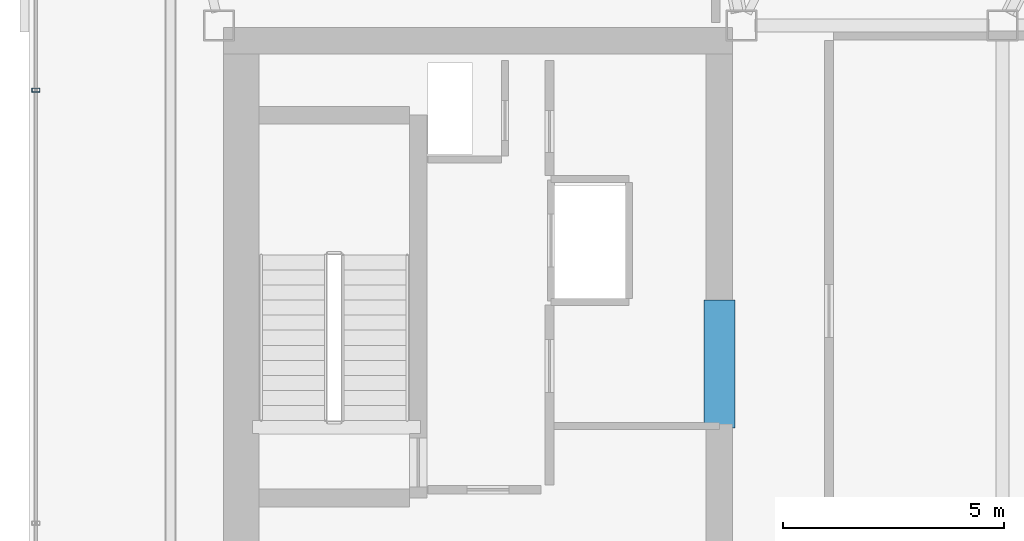
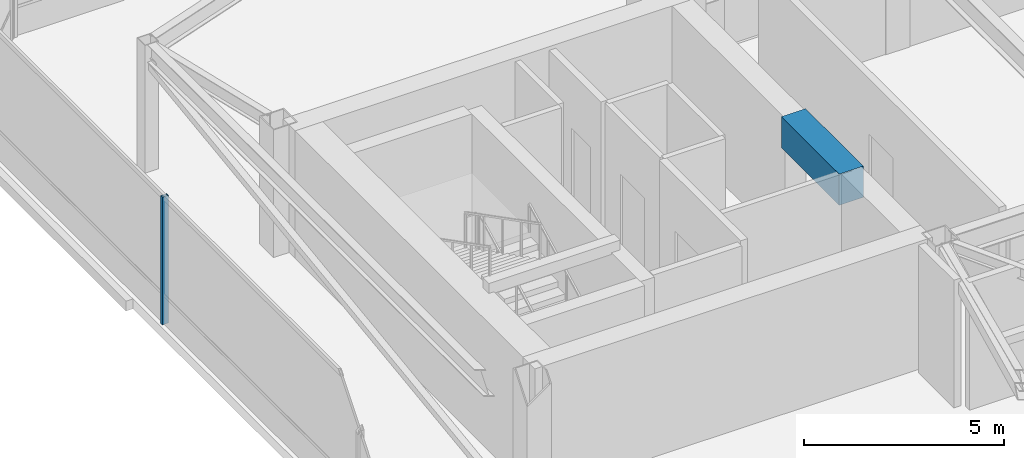
# One storey, part 6 of 21: 1 beam, 1 member, 1 element without a shape of its own.
"""IFC4 building model written with IfcOpenShell, lengths in metres."""

import ifcopenshell
import ifcopenshell.guid

model = None  # the IFC model being written
_history = None  # IfcOwnerHistory: only IFC2X3 demands one
_inside = {}  # id of a spatial element -> (the spatial element, [elements in it])
_under = {}  # id of a project, library or spatial element -> (it, [spatial elements below it])
_declared = {}  # id of a project -> (the project, [libraries it declares])
_typed = {}  # id of a type object -> (the type object, [elements of that type])
_made_of = {}  # id of a material, layer set ... -> (it, [elements and type objects made of it])


def new_model(schema):
    """Start an empty IFC model of exactly this schema.

    Asked for "IFC4X3", IfcOpenShell would pick the latest addendum, in which some entities
    have other attributes; the version numbers below select the first issue.
    IFC2X3 requires an IfcOwnerHistory on every rooted entity: one is made here for all.
    """
    global model, _history
    if schema == "IFC4X3":
        model = ifcopenshell.file(schema_version=(4, 3, 0, 0))
    else:
        model = ifcopenshell.file(schema=schema)
    _inside.clear()
    _under.clear()
    _declared.clear()
    _typed.clear()
    _made_of.clear()
    _history = None
    if model.schema == "IFC2X3":
        org = make("IfcOrganization", Name="unknown")
        user = make(
            "IfcPersonAndOrganization",
            ThePerson=make("IfcPerson", FamilyName="unknown"),
            TheOrganization=org,
        )
        app = make(
            "IfcApplication",
            ApplicationDeveloper=org,
            Version="unknown",
            ApplicationFullName="unknown",
            ApplicationIdentifier="unknown",
        )
        _history = make(
            "IfcOwnerHistory",
            OwningUser=user,
            OwningApplication=app,
            ChangeAction="ADDED",
            CreationDate=0,
        )
    return model


def make(cls, **values):
    """One entity of the class cls with the attributes given. An attribute that is None is left unset."""
    return model.create_entity(
        cls, **{name: value for name, value in values.items() if value is not None}
    )


def rooted(cls, **values):
    """An entity with a GlobalId (a new one), such as an element, a storey or a relation."""
    return make(cls, GlobalId=ifcopenshell.guid.new(), OwnerHistory=_history, **values)


def si_unit(unit_type, name, prefix=None):
    """IfcSIUnit, for example si_unit("LENGTHUNIT", "METRE", prefix="MILLI")."""
    return make("IfcSIUnit", UnitType=unit_type, Prefix=prefix, Name=name)


def assignment(units):
    """IfcUnitAssignment: the units of a project."""
    return None if units is None else make("IfcUnitAssignment", Units=units)


def point(xyz):
    """IfcCartesianPoint."""
    return None if xyz is None else make("IfcCartesianPoint", Coordinates=xyz)


def direction(xyz):
    """IfcDirection."""
    return None if xyz is None else make("IfcDirection", DirectionRatios=xyz)


def frame(location, z_axis=None, x_axis=None):
    """IfcAxis2Placement3D, a coordinate frame: its origin and axes. An axis left out is left unset."""
    return make(
        "IfcAxis2Placement3D",
        Location=point(location),
        Axis=direction(z_axis),
        RefDirection=direction(x_axis),
    )


def frame_2d(location, x_axis=None):
    """IfcAxis2Placement2D, a coordinate frame in the plane: its origin and x axis."""
    return make(
        "IfcAxis2Placement2D", Location=point(location), RefDirection=direction(x_axis)
    )


def origin():
    """The frame at (0, 0, 0) with its axes left unset."""
    return frame((0.0, 0.0, 0.0))


def origin_2d():
    """The frame at (0, 0) in the plane with its x axis left unset."""
    return frame_2d((0.0, 0.0))


def place(relative_to, where):
    """IfcLocalPlacement: puts the frame where relative to a parent placement (None: the world)."""
    return make(
        "IfcLocalPlacement", PlacementRelTo=relative_to, RelativePlacement=where
    )


def context(
    kind, dimensions, precision=None, world=None, true_north=None, identifier=None
):
    """IfcGeometricRepresentationContext, for example the 3D "Model" context."""
    return make(
        "IfcGeometricRepresentationContext",
        ContextIdentifier=identifier,
        ContextType=kind,
        CoordinateSpaceDimension=dimensions,
        Precision=precision,
        WorldCoordinateSystem=world,
        TrueNorth=true_north,
    )


def subcontext(parent, identifier, kind, view, scale=None):
    """IfcGeometricRepresentationSubContext, for example "Body" below "Model"."""
    return make(
        "IfcGeometricRepresentationSubContext",
        ContextIdentifier=identifier,
        ContextType=kind,
        ParentContext=parent,
        TargetScale=scale,
        TargetView=view,
    )


def project(units=None, contexts=None):
    """IfcProject with its units and contexts."""
    return rooted(
        "IfcProject",
        Name="project",
        RepresentationContexts=contexts,
        UnitsInContext=assignment(units),
    )


def spatial(cls, under=None, at=None, **own):
    """A site, building, storey or space (cls), placed at a placement, below another one or the project."""
    s = rooted(cls, ObjectPlacement=at, **own)
    if under is not None:
        _under.setdefault(under.id(), (under, []))[1].append(s)
    return s


def profile(cls, at=None, kind="AREA", **sizes):
    """A parametric profile (cls). Its sizes go by their IFC names, for example OverallWidth=200.0."""
    return make(cls, ProfileType=kind, Position=at, **sizes)


def rectangle(**sizes):
    """IfcRectangleProfileDef."""
    return profile("IfcRectangleProfileDef", **sizes)


def hollow_rectangle(**sizes):
    """IfcRectangleHollowProfileDef."""
    return profile("IfcRectangleHollowProfileDef", **sizes)


def extrude(swept, where, along, depth):
    """IfcExtrudedAreaSolid: the profile swept, set in the frame where, extruded along a direction by depth."""
    return make(
        "IfcExtrudedAreaSolid",
        SweptArea=swept,
        Position=where,
        ExtrudedDirection=direction(along),
        Depth=depth,
    )


def shape(context_of_items, identifier, shape_type, items):
    """IfcShapeRepresentation: the items that make up one representation, for example the "Body"."""
    return make(
        "IfcShapeRepresentation",
        ContextOfItems=context_of_items,
        RepresentationIdentifier=identifier,
        RepresentationType=shape_type,
        Items=items,
    )


def material(Name=None, Category=None):
    """IfcMaterial."""
    return make("IfcMaterial", Name=Name, Category=Category)


def layer(
    of_material, thickness, ventilated=None, Name=None, Category=None, Priority=None
):
    """IfcMaterialLayer: one layer of a wall or slab, of a material (None: an air gap)."""
    return make(
        "IfcMaterialLayer",
        Material=of_material,
        LayerThickness=thickness,
        IsVentilated=ventilated,
        Name=Name,
        Category=Category,
        Priority=Priority,
    )


def layer_set(layers, Name=None):
    """IfcMaterialLayerSet."""
    return make("IfcMaterialLayerSet", MaterialLayers=layers, LayerSetName=Name)


def material_profile(
    of_material, cross_section, Name=None, Category=None, Priority=None
):
    """IfcMaterialProfile: a cross section and its material."""
    return make(
        "IfcMaterialProfile",
        Name=Name,
        Material=of_material,
        Profile=cross_section,
        Priority=Priority,
        Category=Category,
    )


def profile_set(profiles, Name=None, composite=None):
    """IfcMaterialProfileSet."""
    return make(
        "IfcMaterialProfileSet",
        Name=Name,
        MaterialProfiles=profiles,
        CompositeProfile=composite,
    )


def made_of(thing, what):
    """Note that an element or type object is made of a material, layer set ...; save() writes the relation."""
    if what is not None:
        _made_of.setdefault(what.id(), (what, []))[1].append(thing)
    return thing


def type_object(cls, material=None, **own):
    """A type object (cls), such as IfcWallType, which elements share."""
    return made_of(rooted(cls, **own), material)


def element(
    cls,
    number,
    at=None,
    inside=None,
    cuts=None,
    type_object=None,
    material=None,
    context=None,
    identifier="Body",
    shape_type=None,
    held_by="IfcProductDefinitionShape",
    body=None,
    shapes=None,
    **own,
):
    """One element of the class cls, such as IfcWall. Its Tag is "e" and its number.

    at: its placement. inside: the storey or other place that contains it. cuts: it is an
    opening in that element (IfcRelVoidsElement). A single representation is given by context,
    identifier, shape_type and body (its items); several are given by shapes. held_by: the class
    of the entity that holds the representations. save() writes the other relations.
    """
    e = rooted(cls, Tag="e%d" % number, ObjectPlacement=at, **own)
    if body is not None:
        shapes = [shape(context, identifier, shape_type, body)]
    if shapes is not None:
        e.Representation = make(held_by, Representations=shapes)
    if inside is not None:
        _inside.setdefault(inside.id(), (inside, []))[1].append(e)
    if cuts is not None:
        rooted(
            "IfcRelVoidsElement", RelatingBuildingElement=cuts, RelatedOpeningElement=e
        )
    if type_object is not None:
        _typed.setdefault(type_object.id(), (type_object, []))[1].append(e)
    return made_of(e, material)


def aggregate(whole, parts):
    """IfcRelAggregates: a whole, such as a stair, and the parts it consists of."""
    return rooted("IfcRelAggregates", RelatingObject=whole, RelatedObjects=parts)


def save(model, path):
    """Write the relations noted so far, then the file.

    IfcRelAggregates (storeys below a building ...), IfcRelContainedInSpatialStructure (elements
    in a storey), IfcRelDefinesByType, IfcRelAssociatesMaterial and IfcRelDeclares: one each for
    every whole, place, type object, material and project.
    """
    for whole, parts in _under.values():
        aggregate(whole, parts)
    for where, things in _inside.values():
        rooted(
            "IfcRelContainedInSpatialStructure",
            RelatedElements=things,
            RelatingStructure=where,
        )
    for kind, things in _typed.values():
        rooted("IfcRelDefinesByType", RelatedObjects=things, RelatingType=kind)
    for what, things in _made_of.values():
        rooted("IfcRelAssociatesMaterial", RelatedObjects=things, RelatingMaterial=what)
    for by, libraries in _declared.values():
        rooted("IfcRelDeclares", RelatingContext=by, RelatedDefinitions=libraries)
    model.write(path)


model = new_model("IFC4")

# Units and contexts
model_context = context("Model", 3, precision=1e-05, world=origin(), true_north=direction((0.0, 1.0)))
body_context = subcontext(model_context, "Body", "Model", "MODEL_VIEW")
ifc_project = project(units=[si_unit("LENGTHUNIT", "METRE"), si_unit("AREAUNIT", "SQUARE_METRE"), si_unit("VOLUMEUNIT", "CUBIC_METRE"), si_unit("PLANEANGLEUNIT", "RADIAN"), si_unit("MASSUNIT", "GRAM", prefix="KILO")], contexts=[model_context])

# Site, building, storey
site_placement = place(None, origin())
site = spatial("IfcSite", under=ifc_project, at=site_placement, CompositionType="ELEMENT")
building_placement = place(site_placement, origin())
building = spatial("IfcBuilding", under=site, at=building_placement, Name="Tavrogorsk Clinical Tower", CompositionType="ELEMENT")
storey_placement = place(building_placement, frame((0.0, 0.0, 348.60009765625)))
storey = spatial("IfcBuildingStorey", under=building, at=storey_placement, Name="L81", CompositionType="ELEMENT", Elevation=348.60009765625)

# Beam
ifc_material_1 = material(Name="Concrete B80", Category="concrete")
ifc_material_profile_1 = material_profile(ifc_material_1, rectangle(XDim=0.699951171875, YDim=0.949951171875, at=origin_2d()), Name="RC-CB-700x950")
ifc_profile_set_1 = profile_set([ifc_material_profile_1], Name="Concrete B80")
beam_type = type_object("IfcBeamType", Name="CouplingBeam_RC700x950", PredefinedType="LINTEL", material=ifc_profile_set_1)
beam_placement = place(storey_placement, frame((-10.800048828125, -2.75, 3.4248046875), z_axis=(0.0, 1.0, 0.0), x_axis=(-1.0, 0.0, 0.0)))
element("IfcBeam", 1, at=beam_placement, inside=storey, type_object=beam_type, Name="L81 Core West Coupling Beam", PredefinedType="LINTEL", context=body_context, shape_type="SweptSolid", body=[
    extrude(rectangle(XDim=0.699951171875, YDim=0.949951171875, at=origin_2d()), origin(), (0.0, 0.0, 1.0), 2.89990234375),
])

# Curtain wall, member
ifc_material_2 = material(Name="Anodised aluminium and triple IGU glazing", Category="aluminium")
ifc_layer = layer(ifc_material_2, 0.179931640625)
ifc_layer_set = layer_set([ifc_layer], Name="Anodised aluminium and triple IGU glazing")
curtain_wall_type = type_object("IfcCurtainWallType", Name="CW5_SkyLobby", PredefinedType="NOTDEFINED", material=ifc_layer_set)
curtain_wall_placement = place(storey_placement, origin())
curtain_wall = element("IfcCurtainWall", 2, at=curtain_wall_placement, inside=storey, type_object=curtain_wall_type, Name="L81 Curtain Wall CW-L81-DRUM-2", PredefinedType="NOTDEFINED")
ifc_material_3 = material(Name="Anodised aluminium alloy AW-6060", Category="aluminium")
ifc_material_profile_2 = material_profile(ifc_material_3, hollow_rectangle(XDim=0.090087890625, YDim=0.179931640625, WallThickness=0.00634765625, at=origin_2d()), Name="RHS-180x90x6.3")
ifc_profile_set_2 = profile_set([ifc_material_profile_2], Name="Anodised aluminium alloy AW-6060")
member_type = type_object("IfcMemberType", Name="CwMullion_180x90", PredefinedType="MULLION", material=ifc_profile_set_2)
member_placement = place(storey_placement, frame((-26.239990234375, 4.891357421875, 0.0), z_axis=(0.0, 0.0, 1.0), x_axis=(0.0, 1.0, 0.0)))
member = element("IfcMember", 3, at=member_placement, type_object=member_type, Name="CW-L81-DRUM-2 Mullion 3", PredefinedType="MULLION", context=body_context, shape_type="SweptSolid", body=[
    extrude(hollow_rectangle(XDim=0.090087890625, YDim=0.179931640625, WallThickness=0.00634765625, at=origin_2d()), origin(), (0.0, 0.0, 1.0), 3.89990234375),
])
aggregate(curtain_wall, [member])

save(model, "model.ifc")
